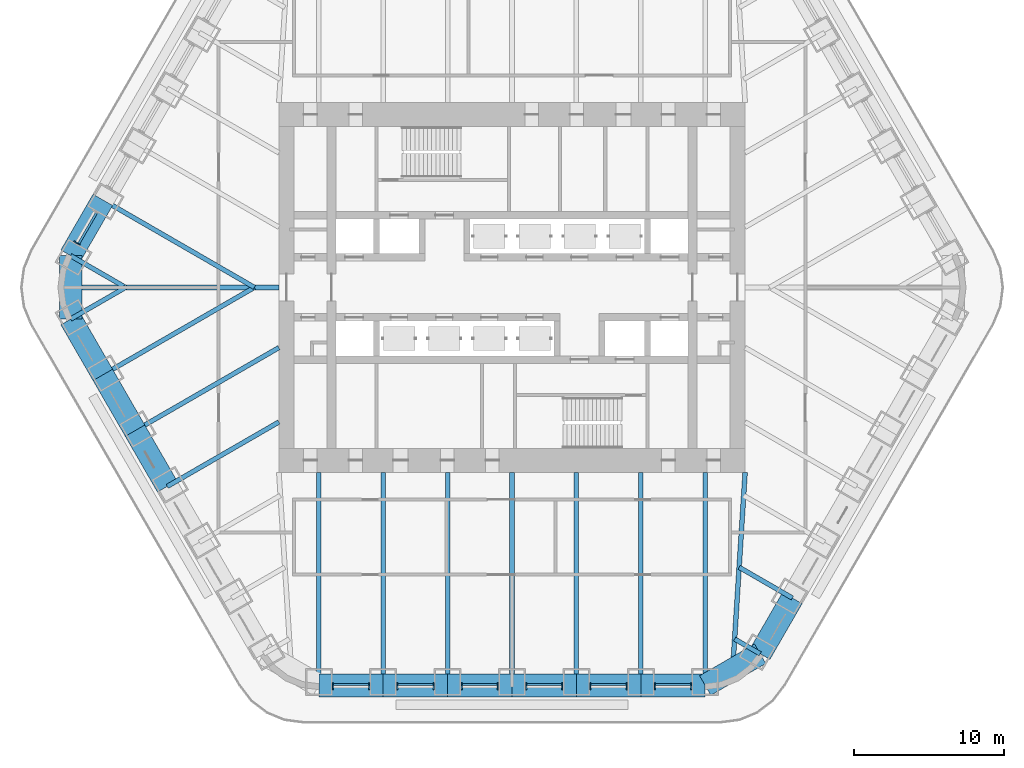
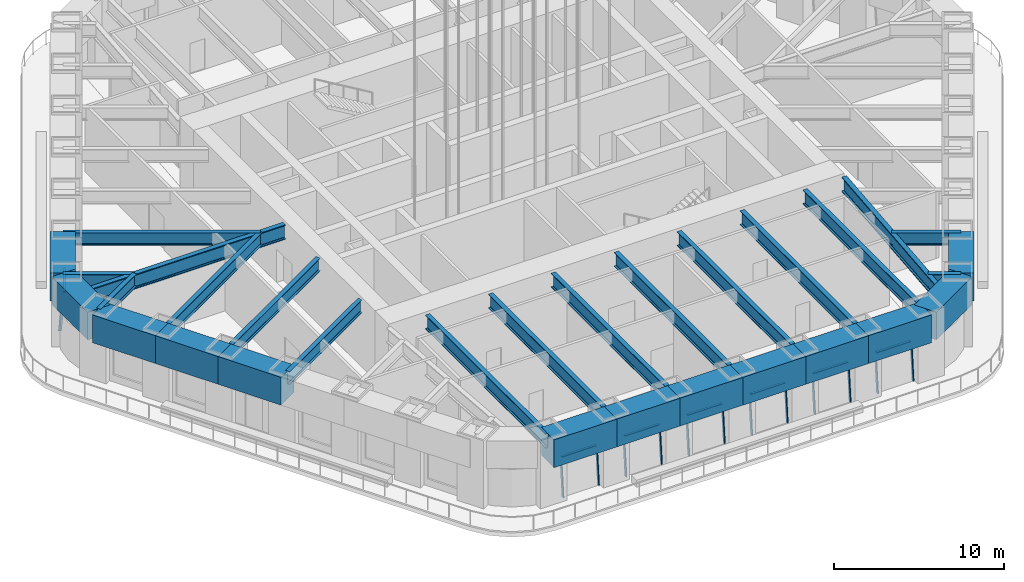
# One storey, part 2 of 14: 30 beams, 20 members, 7 elements without a shape of their own.
"""IFC4 building model written with IfcOpenShell, lengths in metres."""

from ifc_helpers import new_model, si_unit, direction, frame, origin, origin_2d, place, context, subcontext, project, spatial, rectangle, i_section, extrude, material, material_profile, profile_set, type_object, element, aggregate, save


model = new_model("IFC4")

# Units and contexts
model_context = context("Model", 3, precision=1e-05, world=origin(), true_north=direction((0.0, 1.0)))
body_context = subcontext(model_context, "Body", "Model", "MODEL_VIEW")
ifc_project = project(units=[si_unit("LENGTHUNIT", "METRE"), si_unit("AREAUNIT", "SQUARE_METRE"), si_unit("VOLUMEUNIT", "CUBIC_METRE"), si_unit("PLANEANGLEUNIT", "RADIAN"), si_unit("MASSUNIT", "GRAM", prefix="KILO")], contexts=[model_context])

# Site, building, storey
site_placement = place(None, origin())
site = spatial("IfcSite", under=ifc_project, at=site_placement, CompositionType="ELEMENT")
building_placement = place(site_placement, origin())
building = spatial("IfcBuilding", under=site, at=building_placement, Name="Tarfa Lantern Tower", CompositionType="ELEMENT")
storey_placement = place(building_placement, frame((0.0, 0.0, 306.5)))
storey = spatial("IfcBuildingStorey", under=building, at=storey_placement, Name="L69", CompositionType="ELEMENT", Elevation=306.5)

# Curtain wall, member
ifc_material_1 = material(Name="Aluminium framed curtain wall", Category="aluminium")
curtain_wall_type = type_object("IfcCurtainWallType", Name="CW5 CANTED GLAZING SKY LOBBY 2800", PredefinedType="USERDEFINED", material=ifc_material_1)
curtain_wall_1_placement = place(storey_placement, origin())
curtain_wall_1 = element("IfcCurtainWall", 1, at=curtain_wall_1_placement, inside=storey, type_object=curtain_wall_type, Name="CW5 NW L69", ObjectType="CURTAIN WALL", PredefinedType="USERDEFINED")
ifc_material_2 = material(Name="Aluminium mullion", Category="aluminium")
ifc_material_profile_1 = material_profile(ifc_material_2, rectangle(XDim=0.06494140625, YDim=0.199951171875, at=origin_2d()), Name="AL MULLION 65x200")
ifc_profile_set_1 = profile_set([ifc_material_profile_1], Name="Aluminium mullion")
member_type_1 = type_object("IfcMemberType", Name="CWM1 MULLION 65x200", PredefinedType="MULLION", material=ifc_profile_set_1)
member_1_placement = place(storey_placement, frame((-29.036376953125, 3.007568359375, 0.0), z_axis=(0.077032386753, -0.044465143199, 0.996036576854), x_axis=(0.499919672301, 0.866071776036, 0.0)))
member_1 = element("IfcMember", 2, at=member_1_placement, type_object=member_type_1, Name="CW5 mullion 2", PredefinedType="MULLION", context=body_context, shape_type="SweptSolid", body=[
    extrude(rectangle(XDim=0.06494140625, YDim=0.199951171875, at=origin_2d()), origin(), (0.0, 0.0, 1.0), 2.811279296875),
])

# Curtain wall, members
curtain_wall_2_placement = place(storey_placement, origin())
curtain_wall_2 = element("IfcCurtainWall", 3, at=curtain_wall_2_placement, inside=storey, type_object=curtain_wall_type, Name="CW5 S L69", ObjectType="CURTAIN WALL", PredefinedType="USERDEFINED")
member_2_placement = place(storey_placement, frame((-11.91357421875, -26.64990234375, 0.0), z_axis=(0.0, 0.088930399417, 0.996037842685), x_axis=(-1.0, 0.0, 0.0)))
member_2 = element("IfcMember", 4, at=member_2_placement, type_object=member_type_1, Name="CW5 mullion 1", PredefinedType="MULLION", context=body_context, shape_type="SweptSolid", body=[
    extrude(rectangle(XDim=0.06494140625, YDim=0.199951171875, at=origin_2d()), origin(), (0.0, 0.0, 1.0), 2.811279296875),
])
member_3_placement = place(storey_placement, frame((-9.49658203125, -26.64990234375, 0.0), z_axis=(0.0, 0.088930399417, 0.996037842685), x_axis=(-1.0, 0.0, 0.0)))
member_3 = element("IfcMember", 5, at=member_3_placement, type_object=member_type_1, Name="CW5 mullion 2", PredefinedType="MULLION", context=body_context, shape_type="SweptSolid", body=[
    extrude(rectangle(XDim=0.06494140625, YDim=0.199951171875, at=origin_2d()), origin(), (0.0, 0.0, 1.0), 2.811279296875),
])

curtain_wall_3_placement = place(storey_placement, origin())
curtain_wall_3 = element("IfcCurtainWall", 6, at=curtain_wall_3_placement, inside=storey, type_object=curtain_wall_type, Name="CW5 S L69", ObjectType="CURTAIN WALL", PredefinedType="USERDEFINED")
member_4_placement = place(storey_placement, frame((-7.631591796875, -26.64990234375, 0.0), z_axis=(0.0, 0.088930399417, 0.996037842685), x_axis=(-1.0, 0.0, 0.0)))
member_4 = element("IfcMember", 7, at=member_4_placement, type_object=member_type_1, Name="CW5 mullion 1", PredefinedType="MULLION", context=body_context, shape_type="SweptSolid", body=[
    extrude(rectangle(XDim=0.06494140625, YDim=0.199951171875, at=origin_2d()), origin(), (0.0, 0.0, 1.0), 2.811279296875),
])
member_5_placement = place(storey_placement, frame((-5.214599609375, -26.64990234375, 0.0), z_axis=(0.0, 0.088930399417, 0.996037842685), x_axis=(-1.0, 0.0, 0.0)))
member_5 = element("IfcMember", 8, at=member_5_placement, type_object=member_type_1, Name="CW5 mullion 2", PredefinedType="MULLION", context=body_context, shape_type="SweptSolid", body=[
    extrude(rectangle(XDim=0.06494140625, YDim=0.199951171875, at=origin_2d()), origin(), (0.0, 0.0, 1.0), 2.811279296875),
])

curtain_wall_4_placement = place(storey_placement, origin())
curtain_wall_4 = element("IfcCurtainWall", 9, at=curtain_wall_4_placement, inside=storey, type_object=curtain_wall_type, Name="CW5 S L69", ObjectType="CURTAIN WALL", PredefinedType="USERDEFINED")
member_6_placement = place(storey_placement, frame((-3.349609375, -26.64990234375, 0.0), z_axis=(0.0, 0.088930399417, 0.996037842685), x_axis=(-1.0, 0.0, 0.0)))
member_6 = element("IfcMember", 10, at=member_6_placement, type_object=member_type_1, Name="CW5 mullion 1", PredefinedType="MULLION", context=body_context, shape_type="SweptSolid", body=[
    extrude(rectangle(XDim=0.06494140625, YDim=0.199951171875, at=origin_2d()), origin(), (0.0, 0.0, 1.0), 2.811279296875),
])
member_7_placement = place(storey_placement, frame((-0.9326171875, -26.64990234375, 0.0), z_axis=(0.0, 0.088930399417, 0.996037842685), x_axis=(-1.0, 0.0, 0.0)))
member_7 = element("IfcMember", 11, at=member_7_placement, type_object=member_type_1, Name="CW5 mullion 2", PredefinedType="MULLION", context=body_context, shape_type="SweptSolid", body=[
    extrude(rectangle(XDim=0.06494140625, YDim=0.199951171875, at=origin_2d()), origin(), (0.0, 0.0, 1.0), 2.811279296875),
])

curtain_wall_5_placement = place(storey_placement, origin())
curtain_wall_5 = element("IfcCurtainWall", 12, at=curtain_wall_5_placement, inside=storey, type_object=curtain_wall_type, Name="CW5 S L69", ObjectType="CURTAIN WALL", PredefinedType="USERDEFINED")
member_8_placement = place(storey_placement, frame((0.9326171875, -26.64990234375, 0.0), z_axis=(0.0, 0.088930399417, 0.996037842685), x_axis=(-1.0, 0.0, 0.0)))
member_8 = element("IfcMember", 13, at=member_8_placement, type_object=member_type_1, Name="CW5 mullion 1", PredefinedType="MULLION", context=body_context, shape_type="SweptSolid", body=[
    extrude(rectangle(XDim=0.06494140625, YDim=0.199951171875, at=origin_2d()), origin(), (0.0, 0.0, 1.0), 2.811279296875),
])
member_9_placement = place(storey_placement, frame((3.349609375, -26.64990234375, 0.0), z_axis=(0.0, 0.088930399417, 0.996037842685), x_axis=(-1.0, 0.0, 0.0)))
member_9 = element("IfcMember", 14, at=member_9_placement, type_object=member_type_1, Name="CW5 mullion 2", PredefinedType="MULLION", context=body_context, shape_type="SweptSolid", body=[
    extrude(rectangle(XDim=0.06494140625, YDim=0.199951171875, at=origin_2d()), origin(), (0.0, 0.0, 1.0), 2.811279296875),
])

curtain_wall_6_placement = place(storey_placement, origin())
curtain_wall_6 = element("IfcCurtainWall", 15, at=curtain_wall_6_placement, inside=storey, type_object=curtain_wall_type, Name="CW5 S L69", ObjectType="CURTAIN WALL", PredefinedType="USERDEFINED")
member_10_placement = place(storey_placement, frame((5.214599609375, -26.64990234375, 0.0), z_axis=(0.0, 0.088930399417, 0.996037842685), x_axis=(-1.0, 0.0, 0.0)))
member_10 = element("IfcMember", 16, at=member_10_placement, type_object=member_type_1, Name="CW5 mullion 1", PredefinedType="MULLION", context=body_context, shape_type="SweptSolid", body=[
    extrude(rectangle(XDim=0.06494140625, YDim=0.199951171875, at=origin_2d()), origin(), (0.0, 0.0, 1.0), 2.811279296875),
])
member_11_placement = place(storey_placement, frame((7.631591796875, -26.64990234375, 0.0), z_axis=(0.0, 0.088930399417, 0.996037842685), x_axis=(-1.0, 0.0, 0.0)))
member_11 = element("IfcMember", 17, at=member_11_placement, type_object=member_type_1, Name="CW5 mullion 2", PredefinedType="MULLION", context=body_context, shape_type="SweptSolid", body=[
    extrude(rectangle(XDim=0.06494140625, YDim=0.199951171875, at=origin_2d()), origin(), (0.0, 0.0, 1.0), 2.811279296875),
])

curtain_wall_7_placement = place(storey_placement, origin())
curtain_wall_7 = element("IfcCurtainWall", 18, at=curtain_wall_7_placement, inside=storey, type_object=curtain_wall_type, Name="CW5 S L69", ObjectType="CURTAIN WALL", PredefinedType="USERDEFINED")
member_12_placement = place(storey_placement, frame((9.49658203125, -26.64990234375, 0.0), z_axis=(0.0, 0.088930399417, 0.996037842685), x_axis=(-1.0, 0.0, 0.0)))
member_12 = element("IfcMember", 19, at=member_12_placement, type_object=member_type_1, Name="CW5 mullion 1", PredefinedType="MULLION", context=body_context, shape_type="SweptSolid", body=[
    extrude(rectangle(XDim=0.06494140625, YDim=0.199951171875, at=origin_2d()), origin(), (0.0, 0.0, 1.0), 2.811279296875),
])
member_13_placement = place(storey_placement, frame((11.91357421875, -26.64990234375, 0.0), z_axis=(0.0, 0.088930399417, 0.996037842685), x_axis=(-1.0, 0.0, 0.0)))
member_13 = element("IfcMember", 20, at=member_13_placement, type_object=member_type_1, Name="CW5 mullion 2", PredefinedType="MULLION", context=body_context, shape_type="SweptSolid", body=[
    extrude(rectangle(XDim=0.06494140625, YDim=0.199951171875, at=origin_2d()), origin(), (0.0, 0.0, 1.0), 2.811279296875),
])

# Member
ifc_material_3 = material(Name="Aluminium transom", Category="aluminium")
ifc_material_profile_2 = material_profile(ifc_material_3, rectangle(XDim=0.14990234375, YDim=0.06494140625, at=origin_2d()), Name="AL TRANSOM 150x65")
ifc_profile_set_2 = profile_set([ifc_material_profile_2], Name="Aluminium transom")
member_type_2 = type_object("IfcMemberType", Name="CWT1 TRANSOM 150x65", PredefinedType="USERDEFINED", material=ifc_profile_set_2)
member_14_placement = place(storey_placement, frame((-27.630126953125, 4.948974609375, 2.767578125), z_axis=(-0.500012978079, -0.866017910757, 0.0), x_axis=(0.866017910757, -0.500012978079, 0.0)))
member_14 = element("IfcMember", 21, at=member_14_placement, type_object=member_type_2, Name="CW5 transom 1.2", ObjectType="TRANSOM", PredefinedType="USERDEFINED", context=body_context, shape_type="SweptSolid", body=[
    extrude(rectangle(XDim=0.14990234375, YDim=0.06494140625, at=origin_2d()), origin(), (0.0, 0.0, 1.0), 2.35205078125),
])

aggregate(curtain_wall_1, [member_1, member_14])

member_15_placement = place(storey_placement, frame((-11.881103515625, -26.40283203125, 2.767578125), z_axis=(1.0, 0.0, 0.0), x_axis=(0.0, 1.0, 0.0)))
member_15 = element("IfcMember", 22, at=member_15_placement, type_object=member_type_2, Name="CW5 transom 1.2", ObjectType="TRANSOM", PredefinedType="USERDEFINED", context=body_context, shape_type="SweptSolid", body=[
    extrude(rectangle(XDim=0.14990234375, YDim=0.06494140625, at=origin_2d()), origin(), (0.0, 0.0, 1.0), 2.35205078125),
])

aggregate(curtain_wall_2, [member_2, member_3, member_15])

member_16_placement = place(storey_placement, frame((-7.59912109375, -26.40283203125, 2.767578125), z_axis=(1.0, 0.0, 0.0), x_axis=(0.0, 1.0, 0.0)))
member_16 = element("IfcMember", 23, at=member_16_placement, type_object=member_type_2, Name="CW5 transom 1.2", ObjectType="TRANSOM", PredefinedType="USERDEFINED", context=body_context, shape_type="SweptSolid", body=[
    extrude(rectangle(XDim=0.14990234375, YDim=0.06494140625, at=origin_2d()), origin(), (0.0, 0.0, 1.0), 2.35205078125),
])

aggregate(curtain_wall_3, [member_4, member_5, member_16])

member_17_placement = place(storey_placement, frame((-3.31689453125, -26.40283203125, 2.767578125), z_axis=(1.0, 0.0, 0.0), x_axis=(0.0, 1.0, 0.0)))
member_17 = element("IfcMember", 24, at=member_17_placement, type_object=member_type_2, Name="CW5 transom 1.2", ObjectType="TRANSOM", PredefinedType="USERDEFINED", context=body_context, shape_type="SweptSolid", body=[
    extrude(rectangle(XDim=0.14990234375, YDim=0.06494140625, at=origin_2d()), origin(), (0.0, 0.0, 1.0), 2.351806640625),
])

aggregate(curtain_wall_4, [member_6, member_7, member_17])

member_18_placement = place(storey_placement, frame((0.965087890625, -26.40283203125, 2.767578125), z_axis=(1.0, 0.0, 0.0), x_axis=(0.0, 1.0, 0.0)))
member_18 = element("IfcMember", 25, at=member_18_placement, type_object=member_type_2, Name="CW5 transom 1.2", ObjectType="TRANSOM", PredefinedType="USERDEFINED", context=body_context, shape_type="SweptSolid", body=[
    extrude(rectangle(XDim=0.14990234375, YDim=0.06494140625, at=origin_2d()), origin(), (0.0, 0.0, 1.0), 2.351806640625),
])

aggregate(curtain_wall_5, [member_8, member_9, member_18])

member_19_placement = place(storey_placement, frame((5.2470703125, -26.40283203125, 2.767578125), z_axis=(1.0, 0.0, 0.0), x_axis=(0.0, 1.0, 0.0)))
member_19 = element("IfcMember", 26, at=member_19_placement, type_object=member_type_2, Name="CW5 transom 1.2", ObjectType="TRANSOM", PredefinedType="USERDEFINED", context=body_context, shape_type="SweptSolid", body=[
    extrude(rectangle(XDim=0.14990234375, YDim=0.06494140625, at=origin_2d()), origin(), (0.0, 0.0, 1.0), 2.35205078125),
])

aggregate(curtain_wall_6, [member_10, member_11, member_19])

member_20_placement = place(storey_placement, frame((9.529052734375, -26.40283203125, 2.767578125), z_axis=(1.0, 0.0, 0.0), x_axis=(0.0, 1.0, 0.0)))
member_20 = element("IfcMember", 27, at=member_20_placement, type_object=member_type_2, Name="CW5 transom 1.2", ObjectType="TRANSOM", PredefinedType="USERDEFINED", context=body_context, shape_type="SweptSolid", body=[
    extrude(rectangle(XDim=0.14990234375, YDim=0.06494140625, at=origin_2d()), origin(), (0.0, 0.0, 1.0), 2.35205078125),
])

aggregate(curtain_wall_7, [member_12, member_13, member_20])

# Beams
ifc_material_4 = material(Name="Concrete C80/95", Category="concrete")
ifc_material_profile_3 = material_profile(ifc_material_4, rectangle(XDim=1.5, YDim=2.0, at=origin_2d()), Name="RC 1500x2000")
ifc_profile_set_3 = profile_set([ifc_material_profile_3], Name="Concrete C80/95")
beam_type_1 = type_object("IfcBeamType", Name="RB3 RC 1500x2000", PredefinedType="BEAM", material=ifc_profile_set_3)
beam_1_placement = place(storey_placement, frame((-27.205810546875, 5.818359375, 3.800048828125), z_axis=(-0.499984039138, -0.866034618596, 0.0), x_axis=(0.866034618596, -0.499984039138, 0.0)))
element("IfcBeam", 28, at=beam_1_placement, inside=storey, type_object=beam_type_1, Name="Edge beam NW5", PredefinedType="BEAM", context=body_context, shape_type="SweptSolid", body=[
    extrude(rectangle(XDim=1.5, YDim=2.0, at=origin_2d()), origin(), (0.0, 0.0, 1.0), 4.281982421875),
])
beam_2_placement = place(storey_placement, frame((-29.3466796875, 2.110107421875, 3.800048828125), z_axis=(0.0, -1.0, 0.0), x_axis=(1.0, 0.0, 0.0)))
element("IfcBeam", 29, at=beam_2_placement, inside=storey, type_object=beam_type_1, Name="Edge beam NW6", PredefinedType="BEAM", context=body_context, shape_type="SweptSolid", body=[
    extrude(rectangle(XDim=1.5, YDim=2.0, at=origin_2d()), origin(), (0.0, 0.0, 1.0), 4.22021484375),
])
for number, where, z_axis, x_axis, name in (
    (30, (-29.3466796875, -2.110107421875, 3.800048828125), (0.499984039138, -0.866034618596, 0.0), (0.866034618596, 0.499984039138, 0.0), "Edge beam SW0"),
    (31, (-27.205810546875, -5.818359375, 3.800048828125), (0.500026801138, -0.866009929587, 0.0), (0.866009929587, 0.500026801138, 0.0), "Edge beam SW1"),
):
    element("IfcBeam", number, at=place(storey_placement, frame(where, z_axis=z_axis, x_axis=x_axis)), inside=storey, type_object=beam_type_1, Name=name, PredefinedType="BEAM", context=body_context, shape_type="SweptSolid", body=[
        extrude(rectangle(XDim=1.5, YDim=2.0, at=origin_2d()), origin(), (0.0, 0.0, 1.0), 4.281982421875),
    ])
beam_3_placement = place(storey_placement, frame((-25.064697265625, -9.526611328125, 3.800048828125), z_axis=(0.500002112793, -0.866024183959, 0.0), x_axis=(0.866024183959, 0.500002112793, 0.0)))
element("IfcBeam", 32, at=beam_3_placement, inside=storey, type_object=beam_type_1, Name="Edge beam SW2", PredefinedType="BEAM", context=body_context, shape_type="SweptSolid", body=[
    extrude(rectangle(XDim=1.5, YDim=2.0, at=origin_2d()), origin(), (0.0, 0.0, 1.0), 4.2822265625),
])
for number, where, z_axis, x_axis, name in (
    (33, (-12.845947265625, -26.469970703125, 3.800048828125), (1.0, 0.0, 0.0), (0.0, 1.0, 0.0), "Edge beam S0"),
    (34, (-8.56396484375, -26.469970703125, 3.800048828125), (1.0, 0.0, 0.0), (0.0, 1.0, 0.0), "Edge beam S1"),
    (35, (-4.281982421875, -26.469970703125, 3.800048828125), (1.0, 0.0, 0.0), (0.0, 1.0, 0.0), "Edge beam S2"),
    (36, (0.0, -26.469970703125, 3.800048828125), (1.0, 0.0, 0.0), (0.0, 1.0, 0.0), "Edge beam S3"),
    (37, (4.281982421875, -26.469970703125, 3.800048828125), (1.0, 0.0, 0.0), (0.0, 1.0, 0.0), "Edge beam S4"),
    (38, (8.56396484375, -26.469970703125, 3.800048828125), (1.0, 0.0, 0.0), (0.0, 1.0, 0.0), "Edge beam S5"),
):
    element("IfcBeam", number, at=place(storey_placement, frame(where, z_axis=z_axis, x_axis=x_axis)), inside=storey, type_object=beam_type_1, Name=name, PredefinedType="BEAM", context=body_context, shape_type="SweptSolid", body=[
        extrude(rectangle(XDim=1.5, YDim=2.0, at=origin_2d()), origin(), (0.0, 0.0, 1.0), 4.281982421875),
    ])
beam_4_placement = place(storey_placement, frame((12.845947265625, -26.469970703125, 3.800048828125), z_axis=(0.866048788483, 0.499959494327, 0.0), x_axis=(-0.499959494327, 0.866048788483, 0.0)))
element("IfcBeam", 39, at=beam_4_placement, inside=storey, type_object=beam_type_1, Name="Edge beam S6", PredefinedType="BEAM", context=body_context, shape_type="SweptSolid", body=[
    extrude(rectangle(XDim=1.5, YDim=2.0, at=origin_2d()), origin(), (0.0, 0.0, 1.0), 4.219970703125),
])
beam_5_placement = place(storey_placement, frame((16.500732421875, -24.360107421875, 3.800048828125), z_axis=(0.499959351497, 0.866048870937, 0.0), x_axis=(-0.866048870937, 0.499959351497, 0.0)))
element("IfcBeam", 40, at=beam_5_placement, inside=storey, type_object=beam_type_1, Name="Edge beam SE0", PredefinedType="BEAM", context=body_context, shape_type="SweptSolid", body=[
    extrude(rectangle(XDim=1.5, YDim=2.0, at=origin_2d()), origin(), (0.0, 0.0, 1.0), 4.281982421875),
])
ifc_material_5 = material(Name="Steel S460M", Category="steel")
ifc_material_profile_4 = material_profile(ifc_material_5, i_section(OverallWidth=0.302001953125, OverallDepth=1.008056640625, WebThickness=0.02099609375, FlangeThickness=0.0400390625, FilletRadius=0.030029296875, at=origin_2d()), Name="UB1016x305x349")
ifc_profile_set_4 = profile_set([ifc_material_profile_4], Name="Steel S460M")
beam_type_2 = type_object("IfcBeamType", Name="UB1016x305x349", PredefinedType="BEAM", material=ifc_profile_set_4)
for number, where, z_axis, x_axis, name in (
    (41, (-12.845947265625, -26.469970703125, 4.2958984375), (0.0, 1.0, 0.0), (-1.0, 0.0, 0.0), "Floor beam S0"),
    (42, (-8.56396484375, -26.469970703125, 4.2958984375), (0.0, 1.0, 0.0), (-1.0, 0.0, 0.0), "Floor beam S1"),
    (43, (-4.281982421875, -26.469970703125, 4.2958984375), (0.0, 1.0, 0.0), (-1.0, 0.0, 0.0), "Floor beam S2"),
    (44, (0.0, -26.469970703125, 4.2958984375), (0.0, 1.0, 0.0), (-1.0, 0.0, 0.0), "Floor beam S3"),
    (45, (4.281982421875, -26.469970703125, 4.2958984375), (0.0, 1.0, 0.0), (-1.0, 0.0, 0.0), "Floor beam S4"),
    (46, (8.56396484375, -26.469970703125, 4.2958984375), (0.0, 1.0, 0.0), (-1.0, 0.0, 0.0), "Floor beam S5"),
    (47, (12.845947265625, -26.469970703125, 4.2958984375), (0.0, 1.0, 0.0), (-1.0, 0.0, 0.0), "Floor beam S6"),
):
    element("IfcBeam", number, at=place(storey_placement, frame(where, z_axis=z_axis, x_axis=x_axis)), inside=storey, type_object=beam_type_2, Name=name, PredefinedType="BEAM", context=body_context, shape_type="SweptSolid", body=[
        extrude(i_section(OverallWidth=0.302001953125, OverallDepth=1.008056640625, WebThickness=0.02099609375, FlangeThickness=0.0400390625, FilletRadius=0.030029296875, at=origin_2d()), origin(), (0.0, 0.0, 1.0), 14.169921875),
    ])
ifc_material_profile_5 = material_profile(ifc_material_5, i_section(OverallWidth=0.314208984375, OverallDepth=1.055908203125, WebThickness=0.035888671875, FlangeThickness=0.06396484375, FilletRadius=0.030029296875, at=origin_2d()), Name="UB1016x305x584")
ifc_profile_set_5 = profile_set([ifc_material_profile_5], Name="Steel S460M")
beam_type_3 = type_object("IfcBeamType", Name="UB1016x305x584", PredefinedType="BEAM", material=ifc_profile_set_5)
beam_6_placement = place(storey_placement, frame((-15.5, 0.0, 4.27197265625), z_axis=(-1.0, 0.0, 0.0), x_axis=(0.0, -1.0, 0.0)))
element("IfcBeam", 48, at=beam_6_placement, inside=storey, type_object=beam_type_3, Name="Hip girder W", PredefinedType="BEAM", context=body_context, shape_type="SweptSolid", body=[
    extrude(i_section(OverallWidth=0.314208984375, OverallDepth=1.055908203125, WebThickness=0.035888671875, FlangeThickness=0.06396484375, FilletRadius=0.030029296875, at=origin_2d()), origin(), (0.0, 0.0, 1.0), 13.8466796875),
])
beam_7_placement = place(storey_placement, frame((15.5, -12.300048828125, 4.27197265625), z_axis=(-0.062906861542, -0.998019402001, 0.0), x_axis=(0.998019402001, -0.062906861542, 0.0)))
element("IfcBeam", 49, at=beam_7_placement, inside=storey, type_object=beam_type_3, Name="Hip girder SE", PredefinedType="BEAM", context=body_context, shape_type="SweptSolid", body=[
    extrude(i_section(OverallWidth=0.314208984375, OverallDepth=1.055908203125, WebThickness=0.035888671875, FlangeThickness=0.06396484375, FilletRadius=0.030029296875, at=origin_2d()), origin(), (0.0, 0.0, 1.0), 13.14111328125),
])
ifc_material_profile_6 = material_profile(ifc_material_5, i_section(OverallWidth=0.305419921875, OverallDepth=0.91845703125, WebThickness=0.017333984375, FlangeThickness=0.02783203125, FilletRadius=0.01904296875, at=origin_2d()), Name="UB914x305x253")
ifc_profile_set_6 = profile_set([ifc_material_profile_6], Name="Steel S460M")
beam_type_4 = type_object("IfcBeamType", Name="UB914x305x253", PredefinedType="BEAM", material=ifc_profile_set_6)
beam_8_placement = place(storey_placement, frame((-27.205810546875, 5.818359375, 4.3408203125), z_axis=(0.866024171998, -0.500002133511, 0.0), x_axis=(0.500002133511, 0.866024171998, 0.0)))
element("IfcBeam", 50, at=beam_8_placement, inside=storey, type_object=beam_type_4, Name="Floor beam NW5", PredefinedType="BEAM", context=body_context, shape_type="SweptSolid", body=[
    extrude(i_section(OverallWidth=0.305419921875, OverallDepth=0.91845703125, WebThickness=0.017333984375, FlangeThickness=0.02783203125, FilletRadius=0.01904296875, at=origin_2d()), origin(), (0.0, 0.0, 1.0), 11.63671875),
])
for number, where, z_axis, x_axis, name in (
    (51, (-29.3466796875, 2.110107421875, 4.3408203125), (0.866009274789, -0.500027935199, 0.0), (0.500027935199, 0.866009274789, 0.0), "Floor beam NW6"),
    (52, (-29.3466796875, -2.110107421875, 4.3408203125), (0.866009274789, 0.500027935199, 0.0), (-0.500027935199, 0.866009274789, 0.0), "Floor beam SW0"),
):
    element("IfcBeam", number, at=place(storey_placement, frame(where, z_axis=z_axis, x_axis=x_axis)), inside=storey, type_object=beam_type_4, Name=name, PredefinedType="BEAM", context=body_context, shape_type="SweptSolid", body=[
        extrude(i_section(OverallWidth=0.305419921875, OverallDepth=0.91845703125, WebThickness=0.017333984375, FlangeThickness=0.02783203125, FilletRadius=0.01904296875, at=origin_2d()), origin(), (0.0, 0.0, 1.0), 4.219970703125),
    ])
beam_9_placement = place(storey_placement, frame((-27.205810546875, -5.818359375, 4.3408203125), z_axis=(0.866024171998, 0.500002133511, 0.0), x_axis=(-0.500002133511, 0.866024171998, 0.0)))
element("IfcBeam", 53, at=beam_9_placement, inside=storey, type_object=beam_type_4, Name="Floor beam SW1", PredefinedType="BEAM", context=body_context, shape_type="SweptSolid", body=[
    extrude(i_section(OverallWidth=0.305419921875, OverallDepth=0.91845703125, WebThickness=0.017333984375, FlangeThickness=0.02783203125, FilletRadius=0.01904296875, at=origin_2d()), origin(), (0.0, 0.0, 1.0), 11.63671875),
])
beam_10_placement = place(storey_placement, frame((-25.064697265625, -9.526611328125, 4.3408203125), z_axis=(0.866023982312, 0.500002462055, 0.0), x_axis=(-0.500002462055, 0.866023982312, 0.0)))
element("IfcBeam", 54, at=beam_10_placement, inside=storey, type_object=beam_type_4, Name="Floor beam SW2", PredefinedType="BEAM", context=body_context, shape_type="SweptSolid", body=[
    extrude(i_section(OverallWidth=0.305419921875, OverallDepth=0.91845703125, WebThickness=0.017333984375, FlangeThickness=0.02783203125, FilletRadius=0.01904296875, at=origin_2d()), origin(), (0.0, 0.0, 1.0), 11.04443359375),
])
beam_11_placement = place(storey_placement, frame((-22.923583984375, -13.235107421875, 4.3408203125), z_axis=(0.866019109593, 0.500010901701, 0.0), x_axis=(-0.500010901701, 0.866019109593, 0.0)))
element("IfcBeam", 55, at=beam_11_placement, inside=storey, type_object=beam_type_4, Name="Floor beam SW3", PredefinedType="BEAM", context=body_context, shape_type="SweptSolid", body=[
    extrude(i_section(OverallWidth=0.305419921875, OverallDepth=0.91845703125, WebThickness=0.017333984375, FlangeThickness=0.02783203125, FilletRadius=0.01904296875, at=origin_2d()), origin(), (0.0, 0.0, 1.0), 8.572021484375),
])
beam_12_placement = place(storey_placement, frame((16.500732421875, -24.360107421875, 4.3408203125), z_axis=(-0.866013576751, 0.500020484464, 0.0), x_axis=(-0.500020484464, -0.866013576751, 0.0)))
element("IfcBeam", 56, at=beam_12_placement, inside=storey, type_object=beam_type_4, Name="Floor beam SE0", PredefinedType="BEAM", context=body_context, shape_type="SweptSolid", body=[
    extrude(i_section(OverallWidth=0.305419921875, OverallDepth=0.91845703125, WebThickness=0.017333984375, FlangeThickness=0.02783203125, FilletRadius=0.01904296875, at=origin_2d()), origin(), (0.0, 0.0, 1.0), 1.9619140625),
])
beam_13_placement = place(storey_placement, frame((18.6416015625, -20.651611328125, 4.3408203125), z_axis=(-0.866021442243, 0.500006861528, 0.0), x_axis=(-0.500006861528, -0.866021442243, 0.0)))
element("IfcBeam", 57, at=beam_13_placement, inside=storey, type_object=beam_type_4, Name="Floor beam SE1", PredefinedType="BEAM", context=body_context, shape_type="SweptSolid", body=[
    extrude(i_section(OverallWidth=0.305419921875, OverallDepth=0.91845703125, WebThickness=0.017333984375, FlangeThickness=0.02783203125, FilletRadius=0.01904296875, at=origin_2d()), origin(), (0.0, 0.0, 1.0), 4.0869140625),
])

save(model, "model.ifc")
